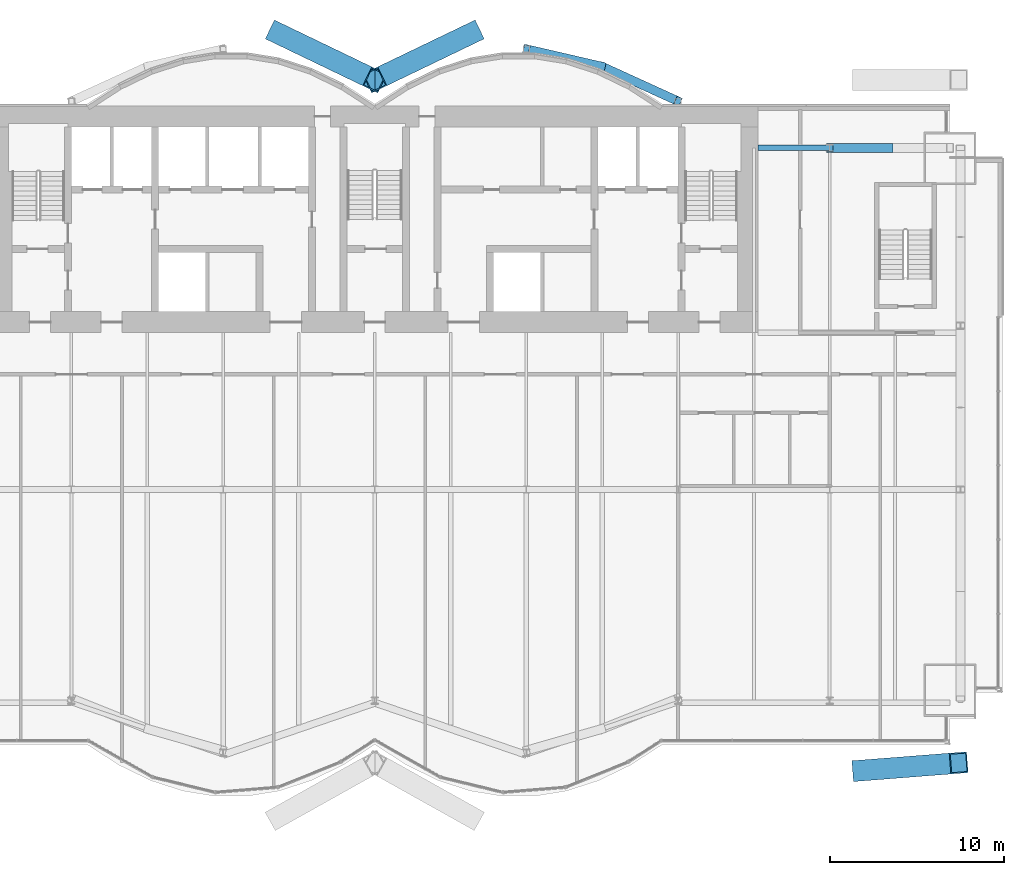
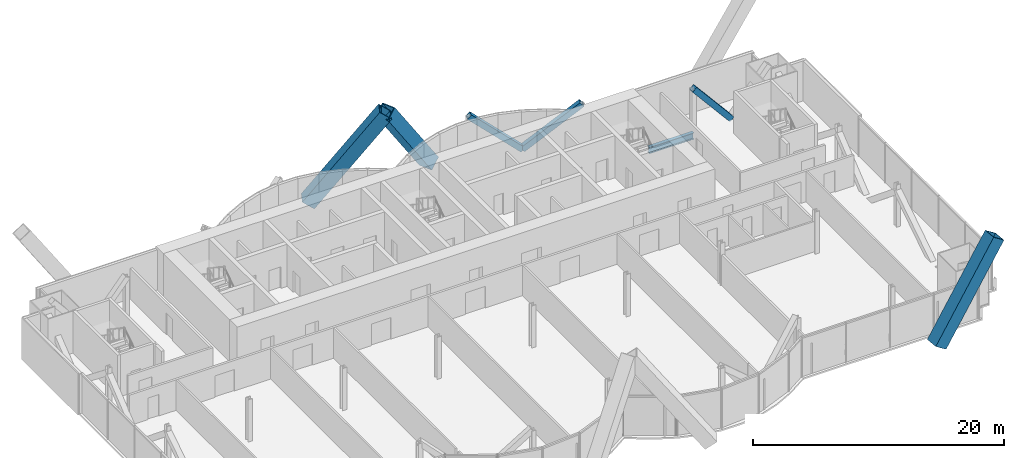
# One storey, part 11 of 21: 6 members, 1 beam.
"""IFC4 building model written with IfcOpenShell, lengths in metres."""

from ifc_helpers import new_model, si_unit, direction, frame, origin, origin_2d, place, context, subcontext, project, spatial, hollow_rectangle, i_section, extrude, material, material_profile, profile_set, type_object, element, save


model = new_model("IFC4")

# Units and contexts
model_context = context("Model", 3, precision=1e-05, world=origin(), true_north=direction((0.0, 1.0)))
body_context = subcontext(model_context, "Body", "Model", "MODEL_VIEW")
ifc_project = project(units=[si_unit("LENGTHUNIT", "METRE"), si_unit("AREAUNIT", "SQUARE_METRE"), si_unit("VOLUMEUNIT", "CUBIC_METRE"), si_unit("PLANEANGLEUNIT", "RADIAN"), si_unit("MASSUNIT", "GRAM", prefix="KILO")], contexts=[model_context])

# Site, building, storey
site_placement = place(None, origin())
site = spatial("IfcSite", under=ifc_project, at=site_placement, CompositionType="ELEMENT")
building_placement = place(site_placement, origin())
building = spatial("IfcBuilding", under=site, at=building_placement, Name="Bicima Exchange Tower", CompositionType="ELEMENT")
storey_placement = place(building_placement, frame((0.0, 0.0, 130.89990234375)))
storey = spatial("IfcBuildingStorey", under=building, at=storey_placement, Name="L28", CompositionType="ELEMENT", Elevation=130.89990234375)

# Members
ifc_material_1 = material(Name="Steel ASTM A572 Gr 50", Category="steel")
ifc_material_profile_1 = material_profile(ifc_material_1, hollow_rectangle(XDim=1.199951171875, YDim=1.199951171875, WallThickness=0.070068359375, at=origin_2d()))
ifc_profile_set_1 = profile_set([ifc_material_profile_1], Name="Steel ASTM A572 Gr 50")
member_type_1 = type_object("IfcMemberType", Name="Exo mega brace BOX 1200x1200x70", PredefinedType="BRACE", material=ifc_profile_set_1)
member_1_placement = place(storey_placement, frame((27.916748046875, -38.12109375, 0.183349609375), z_axis=(0.552270460476, 0.043154808381, 0.832547296554), x_axis=(-0.077903238988, 0.996960924688, 0.0)))
element("IfcMember", 1, at=member_1_placement, inside=storey, type_object=member_type_1, Name="Exo mega brace front", PredefinedType="BRACE", context=body_context, shape_type="SweptSolid", body=[
    extrude(hollow_rectangle(XDim=1.199951171875, YDim=1.199951171875, WallThickness=0.070068359375, at=origin_2d()), origin(), (0.0, 0.0, 1.0), 10.109619140625),
])
for number, where, z_axis, x_axis, name in (
    (2, (-5.583251953125, 4.1865234375, 0.183349609375), (0.53421092373, -0.257049149711, 0.80532255873), (0.433591692225, 0.901109451972, 0.0), "Exo mega brace rear"),
    (3, (5.583251953125, 4.1865234375, 0.183349609375), (-0.53421092373, -0.257049149711, 0.80532255873), (0.433591692225, -0.901109451972, 0.0), "Exo mega brace rear"),
):
    element("IfcMember", number, at=place(storey_placement, frame(where, z_axis=z_axis, x_axis=x_axis)), inside=storey, type_object=member_type_1, Name=name, PredefinedType="BRACE", context=body_context, shape_type="SweptSolid", body=[
        extrude(hollow_rectangle(XDim=1.199951171875, YDim=1.199951171875, WallThickness=0.070068359375, at=origin_2d()), origin(), (0.0, 0.0, 1.0), 10.451416015625),
    ])
ifc_material_profile_2 = material_profile(ifc_material_1, hollow_rectangle(XDim=0.508056640625, YDim=0.508056640625, WallThickness=0.0146484375, at=origin_2d()))
ifc_profile_set_2 = profile_set([ifc_material_profile_2], Name="Steel ASTM A572 Gr 50")
member_type_2 = type_object("IfcMemberType", Name="Mega brace HSS20x20x5/8", PredefinedType="BRACE", material=ifc_profile_set_2)
member_2_placement = place(storey_placement, frame((13.050048828125, 2.262451171875, 0.0), z_axis=(0.690628963585, -0.315060460011, 0.650975069565), x_axis=(0.415045223819, 0.909800781592, 0.0)))
element("IfcMember", 4, at=member_2_placement, inside=storey, type_object=member_type_2, Name="Mega brace rexo", PredefinedType="BRACE", context=body_context, shape_type="SweptSolid", body=[
    extrude(hollow_rectangle(XDim=0.508056640625, YDim=0.508056640625, WallThickness=0.0146484375, at=origin_2d()), origin(), (0.0, 0.0, 1.0), 6.29833984375),
])
member_3_placement = place(storey_placement, frame((13.050048828125, 2.262451171875, 0.0), z_axis=(-0.717605620354, 0.166050509188, 0.676364843878), x_axis=(-0.225438503722, -0.974257399787, 0.0)))
element("IfcMember", 5, at=member_3_placement, inside=storey, type_object=member_type_2, Name="Mega brace rexo", PredefinedType="BRACE", context=body_context, shape_type="SweptSolid", body=[
    extrude(hollow_rectangle(XDim=0.508056640625, YDim=0.508056640625, WallThickness=0.0146484375, at=origin_2d()), origin(), (0.0, 0.0, 1.0), 6.06201171875),
])
member_4_placement = place(storey_placement, frame((29.550048828125, -2.39990234375, 0.0), z_axis=(-0.643834042494, 0.0, 0.765165162384), x_axis=(0.0, -1.0, 0.0)))
element("IfcMember", 6, at=member_4_placement, inside=storey, type_object=member_type_2, Name="Mega brace rear", PredefinedType="BRACE", context=body_context, shape_type="SweptSolid", body=[
    extrude(hollow_rectangle(XDim=0.508056640625, YDim=0.508056640625, WallThickness=0.0146484375, at=origin_2d()), origin(), (0.0, 0.0, 1.0), 5.3583984375),
])

# Beam
ifc_material_2 = material(Name="Steel ASTM A992 Gr 50", Category="steel")
ifc_material_profile_3 = material_profile(ifc_material_2, i_section(OverallWidth=0.3251953125, OverallDepth=0.612060546875, WebThickness=0.0126953125, FlangeThickness=0.01904296875, at=origin_2d()))
ifc_profile_set_3 = profile_set([ifc_material_profile_3], Name="Steel ASTM A992 Gr 50")
beam_type = type_object("IfcBeamType", Name="Rear girder W24x104", PredefinedType="BEAM", material=ifc_profile_set_3)
beam_placement = place(storey_placement, frame((22.0, -2.39990234375, -0.4560546875), z_axis=(1.0, 0.0, 0.0), x_axis=(0.0, 1.0, 0.0)))
element("IfcBeam", 7, at=beam_placement, inside=storey, type_object=beam_type, Name="Rear girder", PredefinedType="BEAM", context=body_context, shape_type="SweptSolid", body=[
    extrude(i_section(OverallWidth=0.3251953125, OverallDepth=0.612060546875, WebThickness=0.0126953125, FlangeThickness=0.01904296875, at=origin_2d()), origin(), (0.0, 0.0, 1.0), 4.10009765625),
])

save(model, "model.ifc")
